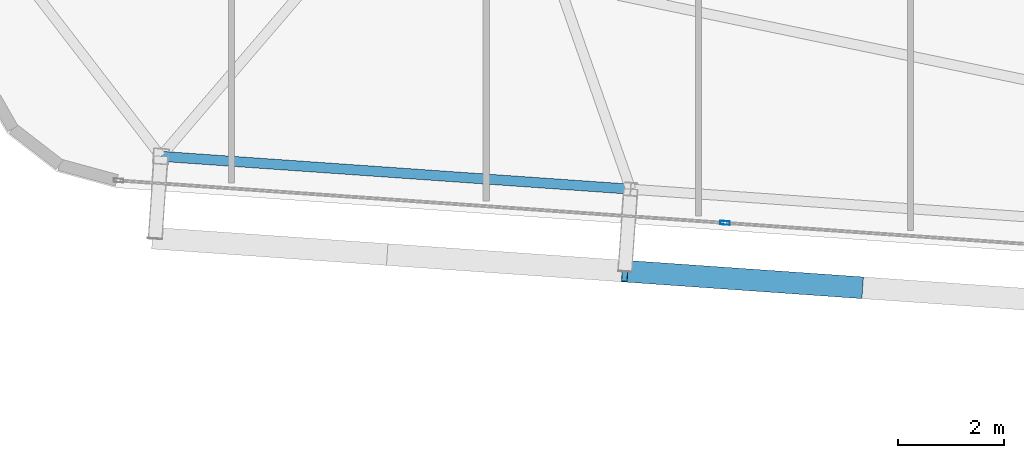
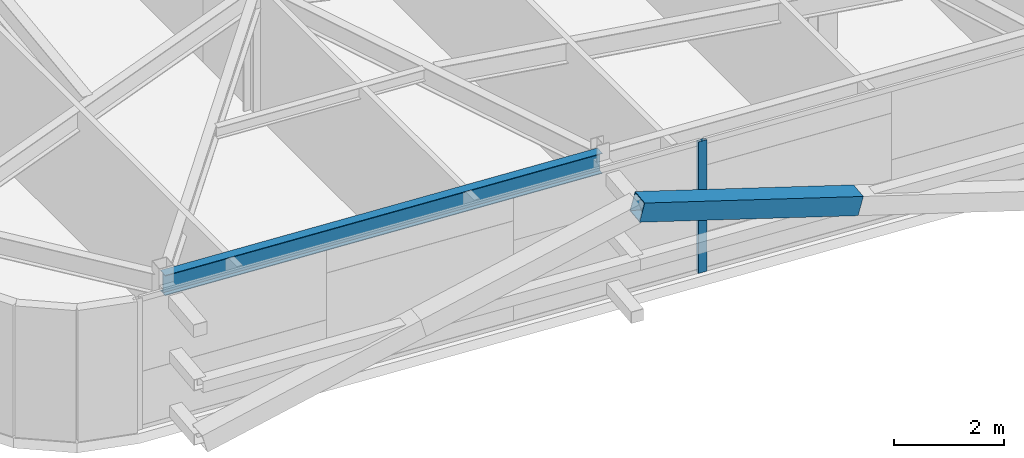
# One storey, part 7 of 39: 2 members, 1 beam, 1 element without a shape of its own.
"""IFC4 building model written with IfcOpenShell, lengths in metres."""

import ifcopenshell
import ifcopenshell.guid

model = None  # the IFC model being written
_history = None  # IfcOwnerHistory: only IFC2X3 demands one
_inside = {}  # id of a spatial element -> (the spatial element, [elements in it])
_under = {}  # id of a project, library or spatial element -> (it, [spatial elements below it])
_declared = {}  # id of a project -> (the project, [libraries it declares])
_typed = {}  # id of a type object -> (the type object, [elements of that type])
_made_of = {}  # id of a material, layer set ... -> (it, [elements and type objects made of it])


def new_model(schema):
    """Start an empty IFC model of exactly this schema.

    Asked for "IFC4X3", IfcOpenShell would pick the latest addendum, in which some entities
    have other attributes; the version numbers below select the first issue.
    IFC2X3 requires an IfcOwnerHistory on every rooted entity: one is made here for all.
    """
    global model, _history
    if schema == "IFC4X3":
        model = ifcopenshell.file(schema_version=(4, 3, 0, 0))
    else:
        model = ifcopenshell.file(schema=schema)
    _inside.clear()
    _under.clear()
    _declared.clear()
    _typed.clear()
    _made_of.clear()
    _history = None
    if model.schema == "IFC2X3":
        org = make("IfcOrganization", Name="unknown")
        user = make(
            "IfcPersonAndOrganization",
            ThePerson=make("IfcPerson", FamilyName="unknown"),
            TheOrganization=org,
        )
        app = make(
            "IfcApplication",
            ApplicationDeveloper=org,
            Version="unknown",
            ApplicationFullName="unknown",
            ApplicationIdentifier="unknown",
        )
        _history = make(
            "IfcOwnerHistory",
            OwningUser=user,
            OwningApplication=app,
            ChangeAction="ADDED",
            CreationDate=0,
        )
    return model


def make(cls, **values):
    """One entity of the class cls with the attributes given. An attribute that is None is left unset."""
    return model.create_entity(
        cls, **{name: value for name, value in values.items() if value is not None}
    )


def rooted(cls, **values):
    """An entity with a GlobalId (a new one), such as an element, a storey or a relation."""
    return make(cls, GlobalId=ifcopenshell.guid.new(), OwnerHistory=_history, **values)


def si_unit(unit_type, name, prefix=None):
    """IfcSIUnit, for example si_unit("LENGTHUNIT", "METRE", prefix="MILLI")."""
    return make("IfcSIUnit", UnitType=unit_type, Prefix=prefix, Name=name)


def assignment(units):
    """IfcUnitAssignment: the units of a project."""
    return None if units is None else make("IfcUnitAssignment", Units=units)


def point(xyz):
    """IfcCartesianPoint."""
    return None if xyz is None else make("IfcCartesianPoint", Coordinates=xyz)


def direction(xyz):
    """IfcDirection."""
    return None if xyz is None else make("IfcDirection", DirectionRatios=xyz)


def frame(location, z_axis=None, x_axis=None):
    """IfcAxis2Placement3D, a coordinate frame: its origin and axes. An axis left out is left unset."""
    return make(
        "IfcAxis2Placement3D",
        Location=point(location),
        Axis=direction(z_axis),
        RefDirection=direction(x_axis),
    )


def frame_2d(location, x_axis=None):
    """IfcAxis2Placement2D, a coordinate frame in the plane: its origin and x axis."""
    return make(
        "IfcAxis2Placement2D", Location=point(location), RefDirection=direction(x_axis)
    )


def origin():
    """The frame at (0, 0, 0) with its axes left unset."""
    return frame((0.0, 0.0, 0.0))


def origin_2d():
    """The frame at (0, 0) in the plane with its x axis left unset."""
    return frame_2d((0.0, 0.0))


def place(relative_to, where):
    """IfcLocalPlacement: puts the frame where relative to a parent placement (None: the world)."""
    return make(
        "IfcLocalPlacement", PlacementRelTo=relative_to, RelativePlacement=where
    )


def context(
    kind, dimensions, precision=None, world=None, true_north=None, identifier=None
):
    """IfcGeometricRepresentationContext, for example the 3D "Model" context."""
    return make(
        "IfcGeometricRepresentationContext",
        ContextIdentifier=identifier,
        ContextType=kind,
        CoordinateSpaceDimension=dimensions,
        Precision=precision,
        WorldCoordinateSystem=world,
        TrueNorth=true_north,
    )


def subcontext(parent, identifier, kind, view, scale=None):
    """IfcGeometricRepresentationSubContext, for example "Body" below "Model"."""
    return make(
        "IfcGeometricRepresentationSubContext",
        ContextIdentifier=identifier,
        ContextType=kind,
        ParentContext=parent,
        TargetScale=scale,
        TargetView=view,
    )


def project(units=None, contexts=None):
    """IfcProject with its units and contexts."""
    return rooted(
        "IfcProject",
        Name="project",
        RepresentationContexts=contexts,
        UnitsInContext=assignment(units),
    )


def spatial(cls, under=None, at=None, **own):
    """A site, building, storey or space (cls), placed at a placement, below another one or the project."""
    s = rooted(cls, ObjectPlacement=at, **own)
    if under is not None:
        _under.setdefault(under.id(), (under, []))[1].append(s)
    return s


def profile(cls, at=None, kind="AREA", **sizes):
    """A parametric profile (cls). Its sizes go by their IFC names, for example OverallWidth=200.0."""
    return make(cls, ProfileType=kind, Position=at, **sizes)


def hollow_rectangle(**sizes):
    """IfcRectangleHollowProfileDef."""
    return profile("IfcRectangleHollowProfileDef", **sizes)


def i_section(**sizes):
    """IfcIShapeProfileDef."""
    return profile("IfcIShapeProfileDef", **sizes)


def extrude(swept, where, along, depth):
    """IfcExtrudedAreaSolid: the profile swept, set in the frame where, extruded along a direction by depth."""
    return make(
        "IfcExtrudedAreaSolid",
        SweptArea=swept,
        Position=where,
        ExtrudedDirection=direction(along),
        Depth=depth,
    )


def shape(context_of_items, identifier, shape_type, items):
    """IfcShapeRepresentation: the items that make up one representation, for example the "Body"."""
    return make(
        "IfcShapeRepresentation",
        ContextOfItems=context_of_items,
        RepresentationIdentifier=identifier,
        RepresentationType=shape_type,
        Items=items,
    )


def source(mapping_origin, context_of_items, identifier, shape_type, items):
    """IfcRepresentationMap: a shape defined once, which mapped items show again and again."""
    return make(
        "IfcRepresentationMap",
        MappingOrigin=mapping_origin,
        MappedRepresentation=shape(context_of_items, identifier, shape_type, items),
    )


def transform(
    local_origin,
    x_axis=None,
    y_axis=None,
    z_axis=None,
    scale=None,
    scale2=None,
    scale3=None,
    uniform=True,
):
    """IfcCartesianTransformationOperator3D, or its non-uniform kind. x_axis, y_axis, z_axis: its Axis1, 2, 3."""
    if uniform:
        return make(
            "IfcCartesianTransformationOperator3D",
            Axis1=direction(x_axis),
            Axis2=direction(y_axis),
            LocalOrigin=point(local_origin),
            Scale=scale,
            Axis3=direction(z_axis),
        )
    return make(
        "IfcCartesianTransformationOperator3DnonUniform",
        Axis1=direction(x_axis),
        Axis2=direction(y_axis),
        LocalOrigin=point(local_origin),
        Scale=scale,
        Axis3=direction(z_axis),
        Scale2=scale2,
        Scale3=scale3,
    )


def mapped(mapping_source, mapping_target):
    """IfcMappedItem: shows the shape of a source again, moved by a transform."""
    return make(
        "IfcMappedItem", MappingSource=mapping_source, MappingTarget=mapping_target
    )


def material(Name=None, Category=None):
    """IfcMaterial."""
    return make("IfcMaterial", Name=Name, Category=Category)


def layer(
    of_material, thickness, ventilated=None, Name=None, Category=None, Priority=None
):
    """IfcMaterialLayer: one layer of a wall or slab, of a material (None: an air gap)."""
    return make(
        "IfcMaterialLayer",
        Material=of_material,
        LayerThickness=thickness,
        IsVentilated=ventilated,
        Name=Name,
        Category=Category,
        Priority=Priority,
    )


def layer_set(layers, Name=None):
    """IfcMaterialLayerSet."""
    return make("IfcMaterialLayerSet", MaterialLayers=layers, LayerSetName=Name)


def material_profile(
    of_material, cross_section, Name=None, Category=None, Priority=None
):
    """IfcMaterialProfile: a cross section and its material."""
    return make(
        "IfcMaterialProfile",
        Name=Name,
        Material=of_material,
        Profile=cross_section,
        Priority=Priority,
        Category=Category,
    )


def profile_set(profiles, Name=None, composite=None):
    """IfcMaterialProfileSet."""
    return make(
        "IfcMaterialProfileSet",
        Name=Name,
        MaterialProfiles=profiles,
        CompositeProfile=composite,
    )


def made_of(thing, what):
    """Note that an element or type object is made of a material, layer set ...; save() writes the relation."""
    if what is not None:
        _made_of.setdefault(what.id(), (what, []))[1].append(thing)
    return thing


def type_object(cls, material=None, **own):
    """A type object (cls), such as IfcWallType, which elements share."""
    return made_of(rooted(cls, **own), material)


def element(
    cls,
    number,
    at=None,
    inside=None,
    cuts=None,
    type_object=None,
    material=None,
    context=None,
    identifier="Body",
    shape_type=None,
    held_by="IfcProductDefinitionShape",
    body=None,
    shapes=None,
    **own,
):
    """One element of the class cls, such as IfcWall. Its Tag is "e" and its number.

    at: its placement. inside: the storey or other place that contains it. cuts: it is an
    opening in that element (IfcRelVoidsElement). A single representation is given by context,
    identifier, shape_type and body (its items); several are given by shapes. held_by: the class
    of the entity that holds the representations. save() writes the other relations.
    """
    e = rooted(cls, Tag="e%d" % number, ObjectPlacement=at, **own)
    if body is not None:
        shapes = [shape(context, identifier, shape_type, body)]
    if shapes is not None:
        e.Representation = make(held_by, Representations=shapes)
    if inside is not None:
        _inside.setdefault(inside.id(), (inside, []))[1].append(e)
    if cuts is not None:
        rooted(
            "IfcRelVoidsElement", RelatingBuildingElement=cuts, RelatedOpeningElement=e
        )
    if type_object is not None:
        _typed.setdefault(type_object.id(), (type_object, []))[1].append(e)
    return made_of(e, material)


def aggregate(whole, parts):
    """IfcRelAggregates: a whole, such as a stair, and the parts it consists of."""
    return rooted("IfcRelAggregates", RelatingObject=whole, RelatedObjects=parts)


def save(model, path):
    """Write the relations noted so far, then the file.

    IfcRelAggregates (storeys below a building ...), IfcRelContainedInSpatialStructure (elements
    in a storey), IfcRelDefinesByType, IfcRelAssociatesMaterial and IfcRelDeclares: one each for
    every whole, place, type object, material and project.
    """
    for whole, parts in _under.values():
        aggregate(whole, parts)
    for where, things in _inside.values():
        rooted(
            "IfcRelContainedInSpatialStructure",
            RelatedElements=things,
            RelatingStructure=where,
        )
    for kind, things in _typed.values():
        rooted("IfcRelDefinesByType", RelatedObjects=things, RelatingType=kind)
    for what, things in _made_of.values():
        rooted("IfcRelAssociatesMaterial", RelatedObjects=things, RelatingMaterial=what)
    for by, libraries in _declared.values():
        rooted("IfcRelDeclares", RelatingContext=by, RelatedDefinitions=libraries)
    model.write(path)


model = new_model("IFC4")

# Units and contexts
model_context = context("Model", 3, precision=1e-05, world=origin(), true_north=direction((0.0, 1.0)))
body_context = subcontext(model_context, "Body", "Model", "MODEL_VIEW")
ifc_project = project(units=[si_unit("LENGTHUNIT", "METRE"), si_unit("AREAUNIT", "SQUARE_METRE"), si_unit("VOLUMEUNIT", "CUBIC_METRE"), si_unit("PLANEANGLEUNIT", "RADIAN"), si_unit("MASSUNIT", "GRAM", prefix="KILO")], contexts=[model_context])

# Site, building, storey
site_placement = place(None, origin())
site = spatial("IfcSite", under=ifc_project, at=site_placement, CompositionType="ELEMENT")
building_placement = place(site_placement, origin())
building = spatial("IfcBuilding", under=site, at=building_placement, Name="Taldren Reach Tower", CompositionType="ELEMENT")
storey_placement = place(building_placement, frame((0.0, 0.0, 158.199951171875)))
storey = spatial("IfcBuildingStorey", under=building, at=storey_placement, Name="L48", CompositionType="ELEMENT", Elevation=158.199951171875)

# Beam
ifc_material_1 = material(Name="Steel Gr 350 (350PLUS)", Category="steel")
ifc_material_profile_1 = material_profile(ifc_material_1, i_section(OverallWidth=0.18994140625, OverallDepth=0.4541015625, WebThickness=0.008544921875, FlangeThickness=0.0126953125, at=origin_2d()), Name="460UB67.1")
ifc_profile_set_1 = profile_set([ifc_material_profile_1], Name="Steel Gr 350 (350PLUS)")
beam_type = type_object("IfcBeamType", Name="SP-UB460B", PredefinedType="SPANDREL", material=ifc_profile_set_1)
shared_shape_1 = source(origin(), body_context, "Body", "SweptSolid", [
    extrude(i_section(OverallWidth=0.18994140625, OverallDepth=0.4541015625, WebThickness=0.008544921875, FlangeThickness=0.0126953125, at=origin_2d()), origin(), (0.0, 0.0, 1.0), 8.880126953125),
])
beam_placement = place(storey_placement, frame((11.863525390625, 5.33837890625, 2.703125), z_axis=(0.997564479639, -0.069750333063, 0.0), x_axis=(0.069750333063, 0.997564479639, 0.0)))
element("IfcBeam", 1, at=beam_placement, inside=storey, type_object=beam_type, Name="Perimeter spandrel B3 S1-S2 L48", PredefinedType="SPANDREL", context=body_context, shape_type="MappedRepresentation", body=[
    mapped(shared_shape_1, transform((0.0, 0.0, 0.0), scale=1.0)),
])

# Member
ifc_material_2 = material(Name="Steel Gr 450 (C450L0)", Category="steel")
ifc_material_profile_2 = material_profile(ifc_material_2, hollow_rectangle(XDim=0.409912109375, YDim=0.409912109375, WallThickness=0.01611328125, at=origin_2d()), Name="410x410x16.0SHS")
ifc_profile_set_2 = profile_set([ifc_material_profile_2], Name="Steel Gr 450 (C450L0)")
member_type_1 = type_object("IfcMemberType", Name="MB-EXO406", PredefinedType="BRACE", material=ifc_profile_set_2)
shared_shape_2 = source(origin(), body_context, "Body", "SweptSolid", [
    extrude(hollow_rectangle(XDim=0.409912109375, YDim=0.409912109375, WallThickness=0.01611328125, at=origin_2d()), origin(), (0.0, 0.0, 1.0), 4.603271484375),
])
member_1_placement = place(storey_placement, frame((25.04296875, 2.863037109375, 1.43505859375), z_axis=(-0.962182351074, 0.067302910567, 0.263961060594), x_axis=(-0.06977769246, -0.997562566276, 0.0)))
element("IfcMember", 2, at=member_1_placement, inside=storey, type_object=member_type_1, Name="Exoskeleton Diagrid Brace B3-S2 L48", PredefinedType="BRACE", context=body_context, shape_type="MappedRepresentation", body=[
    mapped(shared_shape_2, transform((0.0, 0.0, 0.0), scale=1.0)),
])

# Curtain wall, member
ifc_material_3 = material(Name="Aluminium and Low-E Glass Unitised System", Category="aluminium")
ifc_layer = layer(ifc_material_3, 0.159912109375)
ifc_layer_set = layer_set([ifc_layer], Name="Aluminium and Low-E Glass Unitised System")
curtain_wall_type = type_object("IfcCurtainWallType", Name="CW-SYS-4", PredefinedType="NOTDEFINED", material=ifc_layer_set)
curtain_wall_placement = place(storey_placement, origin())
curtain_wall = element("IfcCurtainWall", 3, at=curtain_wall_placement, inside=storey, type_object=curtain_wall_type, Name="Unitised curtain wall CW-L48-S", PredefinedType="NOTDEFINED")
ifc_material_4 = material(Name="Anodised Aluminium 6063-T6", Category="aluminium")
ifc_material_profile_3 = material_profile(ifc_material_4, hollow_rectangle(XDim=0.070068359375, YDim=0.179931640625, WallThickness=0.00390625, at=origin_2d()), Name="ALU-180x70x4RHS")
ifc_profile_set_3 = profile_set([ifc_material_profile_3], Name="Anodised Aluminium 6063-T6")
member_type_2 = type_object("IfcMemberType", Name="CW-MUL-180", PredefinedType="MULLION", material=ifc_profile_set_3)
shared_shape_3 = source(origin(), body_context, "Body", "SweptSolid", [
    extrude(hollow_rectangle(XDim=0.070068359375, YDim=0.179931640625, WallThickness=0.00390625, at=origin_2d()), origin(), (0.0, 0.0, 1.0), 2.929931640625),
])
member_2_placement = place(storey_placement, frame((22.501953125, 4.083251953125, 0.0), z_axis=(0.0, 0.0, 1.0), x_axis=(0.06975651593, 0.99756404731, 0.0)))
member_2 = element("IfcMember", 4, at=member_2_placement, type_object=member_type_2, Name="CW-4 mullion 2", PredefinedType="MULLION", context=body_context, shape_type="MappedRepresentation", body=[
    mapped(shared_shape_3, transform((0.0, 0.0, 0.0), scale=1.0)),
])
aggregate(curtain_wall, [member_2])

save(model, "model.ifc")
